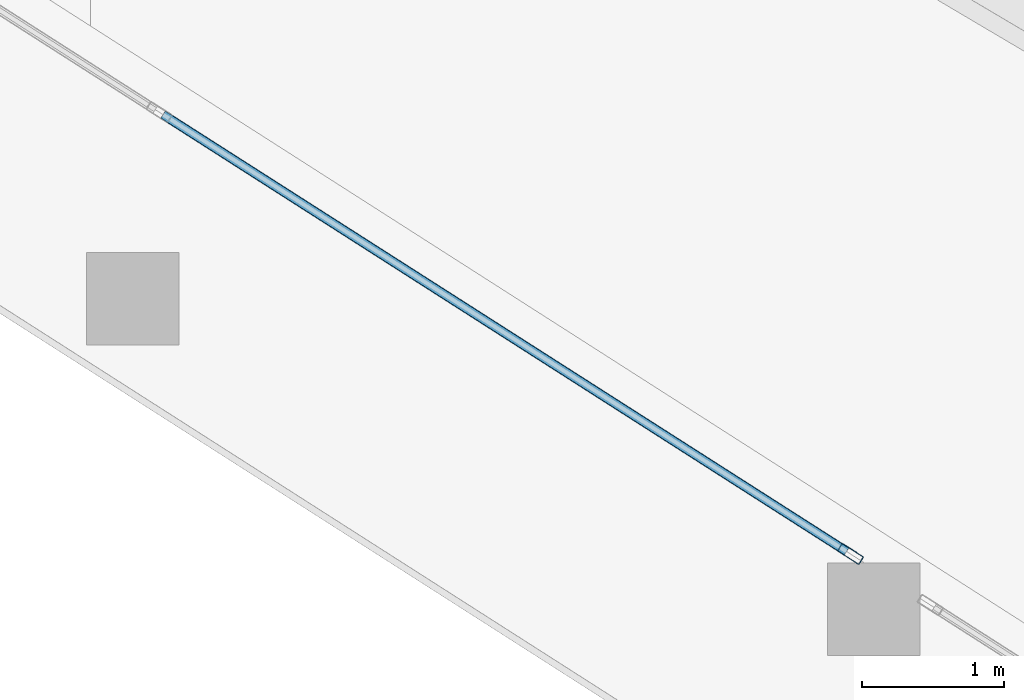
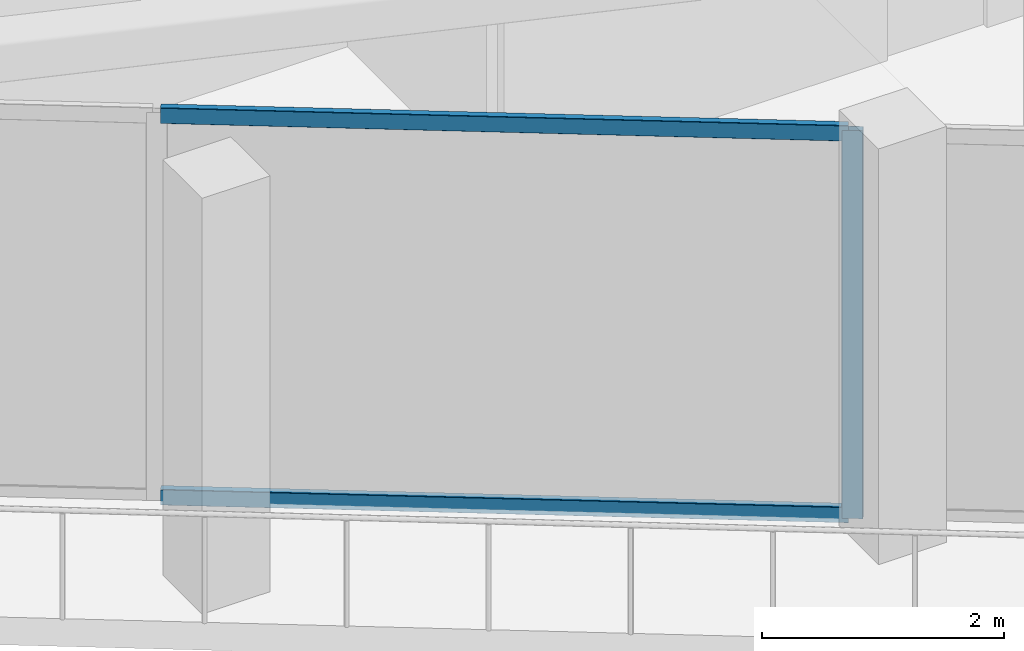
# One storey, part 6 of 52: 3 members, 1 element without a shape of its own.
"""IFC4 building model written with IfcOpenShell, lengths in metres."""

from ifc_helpers import new_model, si_unit, direction, frame, origin, origin_2d, place, context, subcontext, project, spatial, hollow_rectangle, extrude, material, layer, layer_set, material_profile, profile_set, type_object, element, aggregate, save


model = new_model("IFC4")

# Units and contexts
model_context = context("Model", 3, precision=1e-05, world=origin(), true_north=direction((0.0, 1.0)))
body_context = subcontext(model_context, "Body", "Model", "MODEL_VIEW")
ifc_project = project(units=[si_unit("LENGTHUNIT", "METRE"), si_unit("AREAUNIT", "SQUARE_METRE"), si_unit("VOLUMEUNIT", "CUBIC_METRE"), si_unit("PLANEANGLEUNIT", "RADIAN"), si_unit("MASSUNIT", "GRAM", prefix="KILO")], contexts=[model_context])

# Site, building, storey
site_placement = place(None, origin())
site = spatial("IfcSite", under=ifc_project, at=site_placement, CompositionType="ELEMENT")
building_placement = place(site_placement, origin())
building = spatial("IfcBuilding", under=site, at=building_placement, Name="Qorvath Tower", CompositionType="ELEMENT")
storey_placement = place(building_placement, frame((0.0, 0.0, 61.800048828125)))
storey = spatial("IfcBuildingStorey", under=building, at=storey_placement, Name="L13", CompositionType="ELEMENT", Elevation=61.800048828125)

# Curtain wall, members
ifc_material_1 = material(Name="Anodised aluminium and triple low-E glass", Category="aluminium")
ifc_layer = layer(ifc_material_1, 0.179931640625)
ifc_layer_set = layer_set([ifc_layer], Name="CW-SYS-2")
curtain_wall_type = type_object("IfcCurtainWallType", Name="CW-SYS-2", PredefinedType="NOTDEFINED", material=ifc_layer_set)
curtain_wall_placement = place(storey_placement, origin())
curtain_wall = element("IfcCurtainWall", 1, at=curtain_wall_placement, inside=storey, type_object=curtain_wall_type, Name="Curtain Wall CW-2 CW-T-L13-2.1", PredefinedType="NOTDEFINED")
ifc_material_2 = material(Name="Anodised aluminium 6063-T6", Category="aluminium")
ifc_material_profile_1 = material_profile(ifc_material_2, hollow_rectangle(XDim=0.06494140625, YDim=0.179931640625, WallThickness=0.00341796875, InnerFilletRadius=0.00341796875, OuterFilletRadius=0.007080078125, at=origin_2d()), Name="CWM 180x65")
ifc_profile_set_1 = profile_set([ifc_material_profile_1], Name="Anodised aluminium 6063-T6")
member_type_1 = type_object("IfcMemberType", Name="CWM-180", PredefinedType="MULLION", material=ifc_profile_set_1)
member_1_placement = place(storey_placement, frame((-40.4951171875, -16.568115234375, 0.0), z_axis=(0.0, 0.0, 1.0), x_axis=(0.53852960651, 0.842606588458, 0.0)))
member_1 = element("IfcMember", 2, at=member_1_placement, type_object=member_type_1, Name="CW-2 mullion 5", PredefinedType="MULLION", context=body_context, shape_type="SweptSolid", body=[
    extrude(hollow_rectangle(XDim=0.06494140625, YDim=0.179931640625, WallThickness=0.00341796875, InnerFilletRadius=0.00341796875, OuterFilletRadius=0.007080078125, at=origin_2d()), origin(), (0.0, 0.0, 1.0), 3.919921875),
])
ifc_material_3 = material(Name="Anodised aluminium 6063-T6", Category="aluminium")
ifc_material_profile_2 = material_profile(ifc_material_3, hollow_rectangle(XDim=0.06494140625, YDim=0.159912109375, WallThickness=0.00341796875, InnerFilletRadius=0.00341796875, OuterFilletRadius=0.007080078125, at=origin_2d()), Name="CWT 160x65")
ifc_profile_set_2 = profile_set([ifc_material_profile_2], Name="Anodised aluminium 6063-T6")
member_type_2 = type_object("IfcMemberType", Name="CWT-160", PredefinedType="USERDEFINED", material=ifc_profile_set_2)
member_2_placement = place(storey_placement, frame((-45.322998046875, -13.482666015625, 0.032470703125), z_axis=(0.842608218997, -0.538527055289, 0.0), x_axis=(0.538527055289, 0.842608218997, 0.0)))
member_2 = element("IfcMember", 3, at=member_2_placement, type_object=member_type_2, Name="CW-2 transom 4.1", ObjectType="TRANSOM", PredefinedType="USERDEFINED", context=body_context, shape_type="SweptSolid", body=[
    extrude(hollow_rectangle(XDim=0.06494140625, YDim=0.159912109375, WallThickness=0.00341796875, InnerFilletRadius=0.00341796875, OuterFilletRadius=0.007080078125, at=origin_2d()), origin(), (0.0, 0.0, 1.0), 5.697265625),
])
member_3_placement = place(storey_placement, frame((-45.322998046875, -13.482666015625, 3.887451171875), z_axis=(0.842608218997, -0.538527055289, 0.0), x_axis=(0.538527055289, 0.842608218997, 0.0)))
member_3 = element("IfcMember", 4, at=member_3_placement, type_object=member_type_2, Name="CW-2 transom 4.2", ObjectType="TRANSOM", PredefinedType="USERDEFINED", context=body_context, shape_type="SweptSolid", body=[
    extrude(hollow_rectangle(XDim=0.06494140625, YDim=0.159912109375, WallThickness=0.00341796875, InnerFilletRadius=0.00341796875, OuterFilletRadius=0.007080078125, at=origin_2d()), origin(), (0.0, 0.0, 1.0), 5.697265625),
])
aggregate(curtain_wall, [member_1, member_2, member_3])

save(model, "model.ifc")
